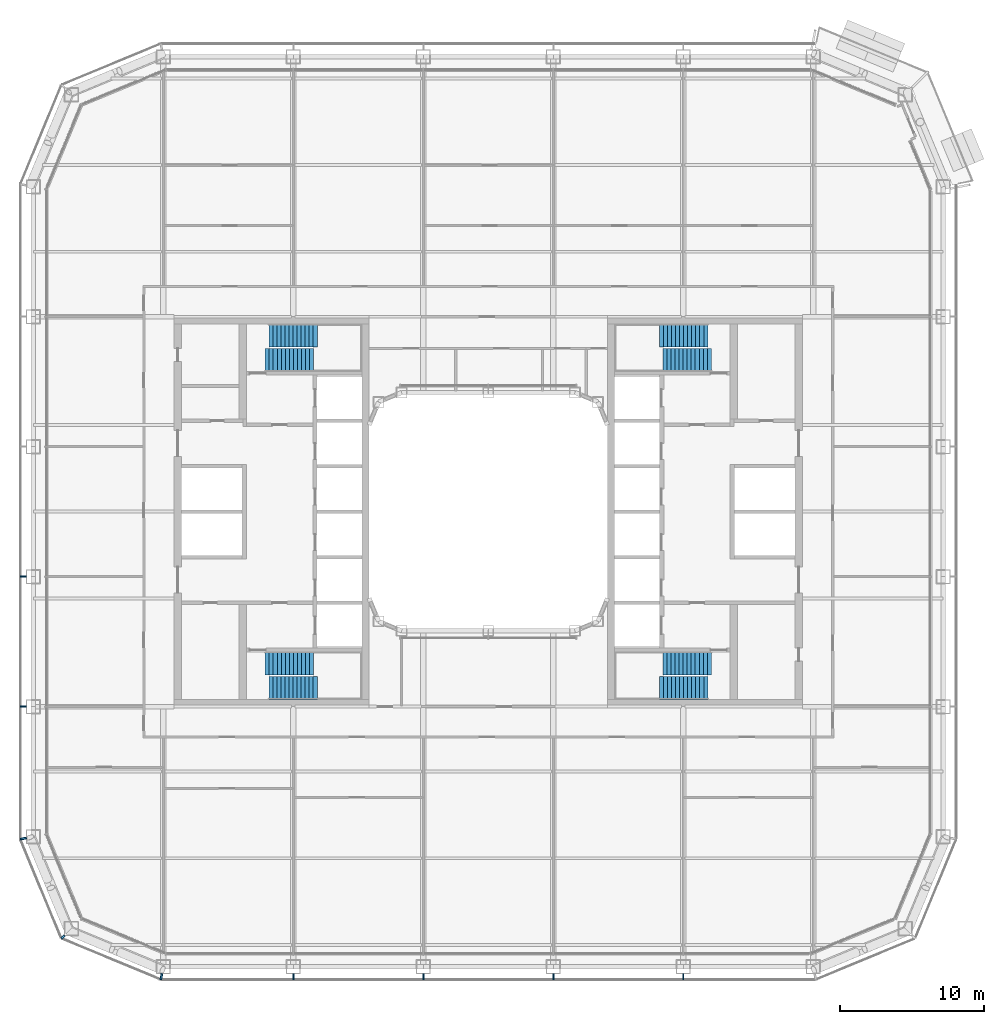
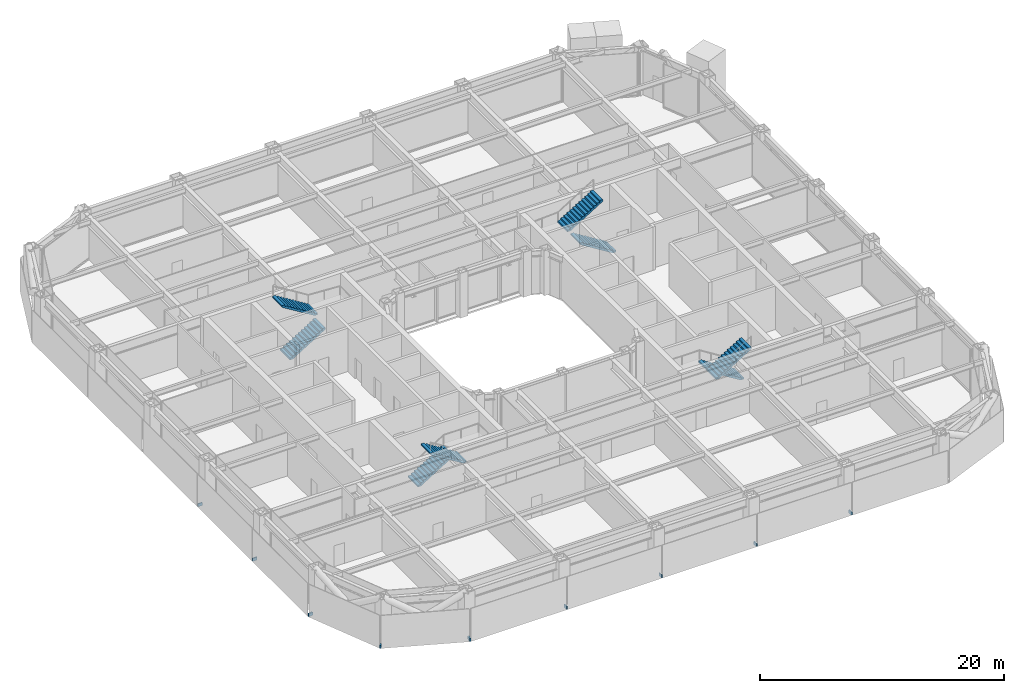
# One storey, part 17 of 30: 9 discrete accessories, 8 stair flights, 4 elements without a shape of their own.
"""IFC4 building model written with IfcOpenShell, lengths in metres."""

from ifc_helpers import new_model, si_unit, direction, frame, origin, origin_2d, place, context, subcontext, project, spatial, polyline, rectangle, outline, extrude, material, type_object, element, aggregate, save


model = new_model("IFC4")

# Units and contexts
model_context = context("Model", 3, precision=1e-05, world=origin(), true_north=direction((0.0, 1.0)))
body_context = subcontext(model_context, "Body", "Model", "MODEL_VIEW")
ifc_project = project(units=[si_unit("LENGTHUNIT", "METRE"), si_unit("AREAUNIT", "SQUARE_METRE"), si_unit("VOLUMEUNIT", "CUBIC_METRE"), si_unit("PLANEANGLEUNIT", "RADIAN"), si_unit("MASSUNIT", "GRAM", prefix="KILO")], contexts=[model_context])

# Site, building, storey
site_placement = place(None, origin())
site = spatial("IfcSite", under=ifc_project, at=site_placement, CompositionType="ELEMENT")
building_placement = place(site_placement, origin())
building = spatial("IfcBuilding", under=site, at=building_placement, Name="Siwar Civic Tower", CompositionType="ELEMENT")
storey_placement = place(building_placement, frame((0.0, 0.0, 62.699951171875)))
storey = spatial("IfcBuildingStorey", under=building, at=storey_placement, Name="L13", CompositionType="ELEMENT", Elevation=62.699951171875)

# Stair, stair flights
ifc_material_1 = material(Name="Concrete C40/50", Category="concrete")
stair_type = type_object("IfcStairType", Name="CORE-STAIR", PredefinedType="TWO_STRAIGHT_RUN_STAIR", material=ifc_material_1)
stair_1_placement = place(storey_placement, origin())
stair_1 = element("IfcStair", 1, at=stair_1_placement, inside=storey, type_object=stair_type, Name="Exit stair ST1", PredefinedType="TWO_STRAIGHT_RUN_STAIR")
ifc_material_2 = material(Name="Concrete C40/50", Category="concrete")
stair_flight_type = type_object("IfcStairFlightType", Name="CORE-STAIR-FLIGHT", PredefinedType="STRAIGHT", material=ifc_material_2)
stair_flight_1_placement = place(storey_placement, frame((-15.449951171875, 10.5, 0.0), z_axis=(0.0, 0.0, 1.0), x_axis=(1.0, 0.0, 0.0)))
stair_flight_1 = element("IfcStairFlight", 2, at=stair_flight_1_placement, type_object=stair_flight_type, Name="ST1 flight 1", NumberOfRisers=13, NumberOfTreads=12, PredefinedType="STRAIGHT", RiserHeight=0.173076923, TreadLength=0.28, context=body_context, shape_type="SweptSolid", body=[
    extrude(outline(polyline([(0.0, 0.0), (0.0, 0.173095703125), (0.280029296875, 0.173095703125), (0.280029296875, 0.34619140625), (0.56005859375, 0.34619140625), (0.56005859375, 0.519287109375), (0.840087890625, 0.519287109375), (0.840087890625, 0.6923828125), (1.1201171875, 0.6923828125), (1.1201171875, 0.865478515625), (1.39990234375, 0.865478515625), (1.39990234375, 1.03857421875), (1.679931640625, 1.03857421875), (1.679931640625, 1.21142578125), (1.9599609375, 1.21142578125), (1.9599609375, 1.384521484375), (2.239990234375, 1.384521484375), (2.239990234375, 1.5576171875), (2.52001953125, 1.5576171875), (2.52001953125, 1.730712890625), (2.800048828125, 1.730712890625), (2.800048828125, 1.90380859375), (3.080078125, 1.90380859375), (3.080078125, 2.076904296875), (3.360107421875, 2.076904296875), (3.360107421875, 2.25), (3.360107421875, 1.900634765625), (0.28515625, 0.0), (0.0, 0.0)])), frame((0.0, 0.800048828125, 0.0), z_axis=(0.0, -1.0, 0.0), x_axis=(1.0, 0.0, 0.0)), (0.0, 0.0, 1.0), 1.60009765625),
])
stair_flight_2_placement = place(storey_placement, frame((-11.840087890625, 12.199951171875, 2.25), z_axis=(0.0, 0.0, 1.0), x_axis=(-1.0, 0.0, 0.0)))
stair_flight_2 = element("IfcStairFlight", 3, at=stair_flight_2_placement, type_object=stair_flight_type, Name="ST1 flight 2", NumberOfRisers=13, NumberOfTreads=12, PredefinedType="STRAIGHT", RiserHeight=0.173076923, TreadLength=0.28, context=body_context, shape_type="SweptSolid", body=[
    extrude(outline(polyline([(0.0, 0.0), (0.0, 0.173095703125), (0.280029296875, 0.173095703125), (0.280029296875, 0.34619140625), (0.56005859375, 0.34619140625), (0.56005859375, 0.519287109375), (0.840087890625, 0.519287109375), (0.840087890625, 0.6923828125), (1.1201171875, 0.6923828125), (1.1201171875, 0.865478515625), (1.39990234375, 0.865478515625), (1.39990234375, 1.03857421875), (1.679931640625, 1.03857421875), (1.679931640625, 1.21142578125), (1.9599609375, 1.21142578125), (1.9599609375, 1.384521484375), (2.239990234375, 1.384521484375), (2.239990234375, 1.5576171875), (2.52001953125, 1.5576171875), (2.52001953125, 1.730712890625), (2.800048828125, 1.730712890625), (2.800048828125, 1.90380859375), (3.080078125, 1.90380859375), (3.080078125, 2.076904296875), (3.360107421875, 2.076904296875), (3.360107421875, 2.25), (3.360107421875, 1.900634765625), (0.28515625, 0.0), (0.0, 0.0)])), frame((0.0, 0.800048828125, 0.0), z_axis=(0.0, -1.0, 0.0), x_axis=(1.0, 0.0, 0.0)), (0.0, 0.0, 1.0), 1.60009765625),
])
aggregate(stair_1, [stair_flight_1, stair_flight_2])

stair_2_placement = place(storey_placement, origin())
stair_2 = element("IfcStair", 4, at=stair_2_placement, inside=storey, type_object=stair_type, Name="Exit stair ST2", PredefinedType="TWO_STRAIGHT_RUN_STAIR")
stair_flight_3_placement = place(storey_placement, frame((-15.449951171875, -10.5, 0.0), z_axis=(0.0, 0.0, 1.0), x_axis=(1.0, 0.0, 0.0)))
stair_flight_3 = element("IfcStairFlight", 5, at=stair_flight_3_placement, type_object=stair_flight_type, Name="ST2 flight 1", NumberOfRisers=13, NumberOfTreads=12, PredefinedType="STRAIGHT", RiserHeight=0.173076923, TreadLength=0.28, context=body_context, shape_type="SweptSolid", body=[
    extrude(outline(polyline([(0.0, 0.0), (0.0, 0.173095703125), (0.280029296875, 0.173095703125), (0.280029296875, 0.34619140625), (0.56005859375, 0.34619140625), (0.56005859375, 0.519287109375), (0.840087890625, 0.519287109375), (0.840087890625, 0.6923828125), (1.1201171875, 0.6923828125), (1.1201171875, 0.865478515625), (1.39990234375, 0.865478515625), (1.39990234375, 1.03857421875), (1.679931640625, 1.03857421875), (1.679931640625, 1.21142578125), (1.9599609375, 1.21142578125), (1.9599609375, 1.384521484375), (2.239990234375, 1.384521484375), (2.239990234375, 1.5576171875), (2.52001953125, 1.5576171875), (2.52001953125, 1.730712890625), (2.800048828125, 1.730712890625), (2.800048828125, 1.90380859375), (3.080078125, 1.90380859375), (3.080078125, 2.076904296875), (3.360107421875, 2.076904296875), (3.360107421875, 2.25), (3.360107421875, 1.900634765625), (0.28515625, 0.0), (0.0, 0.0)])), frame((0.0, 0.800048828125, 0.0), z_axis=(0.0, -1.0, 0.0), x_axis=(1.0, 0.0, 0.0)), (0.0, 0.0, 1.0), 1.60009765625),
])
stair_flight_4_placement = place(storey_placement, frame((-11.840087890625, -12.199951171875, 2.25), z_axis=(0.0, 0.0, 1.0), x_axis=(-1.0, 0.0, 0.0)))
stair_flight_4 = element("IfcStairFlight", 6, at=stair_flight_4_placement, type_object=stair_flight_type, Name="ST2 flight 2", NumberOfRisers=13, NumberOfTreads=12, PredefinedType="STRAIGHT", RiserHeight=0.173076923, TreadLength=0.28, context=body_context, shape_type="SweptSolid", body=[
    extrude(outline(polyline([(0.0, 0.0), (0.0, 0.173095703125), (0.280029296875, 0.173095703125), (0.280029296875, 0.34619140625), (0.56005859375, 0.34619140625), (0.56005859375, 0.519287109375), (0.840087890625, 0.519287109375), (0.840087890625, 0.6923828125), (1.1201171875, 0.6923828125), (1.1201171875, 0.865478515625), (1.39990234375, 0.865478515625), (1.39990234375, 1.03857421875), (1.679931640625, 1.03857421875), (1.679931640625, 1.21142578125), (1.9599609375, 1.21142578125), (1.9599609375, 1.384521484375), (2.239990234375, 1.384521484375), (2.239990234375, 1.5576171875), (2.52001953125, 1.5576171875), (2.52001953125, 1.730712890625), (2.800048828125, 1.730712890625), (2.800048828125, 1.90380859375), (3.080078125, 1.90380859375), (3.080078125, 2.076904296875), (3.360107421875, 2.076904296875), (3.360107421875, 2.25), (3.360107421875, 1.900634765625), (0.28515625, 0.0), (0.0, 0.0)])), frame((0.0, 0.800048828125, 0.0), z_axis=(0.0, -1.0, 0.0), x_axis=(1.0, 0.0, 0.0)), (0.0, 0.0, 1.0), 1.60009765625),
])
aggregate(stair_2, [stair_flight_3, stair_flight_4])

stair_3_placement = place(storey_placement, origin())
stair_3 = element("IfcStair", 7, at=stair_3_placement, inside=storey, type_object=stair_type, Name="Exit stair ST3", PredefinedType="TWO_STRAIGHT_RUN_STAIR")
stair_flight_5_placement = place(storey_placement, frame((15.449951171875, 10.5, 0.0), z_axis=(0.0, 0.0, 1.0), x_axis=(-1.0, 0.0, 0.0)))
stair_flight_5 = element("IfcStairFlight", 8, at=stair_flight_5_placement, type_object=stair_flight_type, Name="ST3 flight 1", NumberOfRisers=13, NumberOfTreads=12, PredefinedType="STRAIGHT", RiserHeight=0.173076923, TreadLength=0.28, context=body_context, shape_type="SweptSolid", body=[
    extrude(outline(polyline([(0.0, 0.0), (0.0, 0.173095703125), (0.280029296875, 0.173095703125), (0.280029296875, 0.34619140625), (0.56005859375, 0.34619140625), (0.56005859375, 0.519287109375), (0.840087890625, 0.519287109375), (0.840087890625, 0.6923828125), (1.1201171875, 0.6923828125), (1.1201171875, 0.865478515625), (1.39990234375, 0.865478515625), (1.39990234375, 1.03857421875), (1.679931640625, 1.03857421875), (1.679931640625, 1.21142578125), (1.9599609375, 1.21142578125), (1.9599609375, 1.384521484375), (2.239990234375, 1.384521484375), (2.239990234375, 1.5576171875), (2.52001953125, 1.5576171875), (2.52001953125, 1.730712890625), (2.800048828125, 1.730712890625), (2.800048828125, 1.90380859375), (3.080078125, 1.90380859375), (3.080078125, 2.076904296875), (3.360107421875, 2.076904296875), (3.360107421875, 2.25), (3.360107421875, 1.900634765625), (0.28515625, 0.0), (0.0, 0.0)])), frame((0.0, 0.800048828125, 0.0), z_axis=(0.0, -1.0, 0.0), x_axis=(1.0, 0.0, 0.0)), (0.0, 0.0, 1.0), 1.60009765625),
])
stair_flight_6_placement = place(storey_placement, frame((11.840087890625, 12.199951171875, 2.25), z_axis=(0.0, 0.0, 1.0), x_axis=(1.0, 0.0, 0.0)))
stair_flight_6 = element("IfcStairFlight", 9, at=stair_flight_6_placement, type_object=stair_flight_type, Name="ST3 flight 2", NumberOfRisers=13, NumberOfTreads=12, PredefinedType="STRAIGHT", RiserHeight=0.173076923, TreadLength=0.28, context=body_context, shape_type="SweptSolid", body=[
    extrude(outline(polyline([(0.0, 0.0), (0.0, 0.173095703125), (0.280029296875, 0.173095703125), (0.280029296875, 0.34619140625), (0.56005859375, 0.34619140625), (0.56005859375, 0.519287109375), (0.840087890625, 0.519287109375), (0.840087890625, 0.6923828125), (1.1201171875, 0.6923828125), (1.1201171875, 0.865478515625), (1.39990234375, 0.865478515625), (1.39990234375, 1.03857421875), (1.679931640625, 1.03857421875), (1.679931640625, 1.21142578125), (1.9599609375, 1.21142578125), (1.9599609375, 1.384521484375), (2.239990234375, 1.384521484375), (2.239990234375, 1.5576171875), (2.52001953125, 1.5576171875), (2.52001953125, 1.730712890625), (2.800048828125, 1.730712890625), (2.800048828125, 1.90380859375), (3.080078125, 1.90380859375), (3.080078125, 2.076904296875), (3.360107421875, 2.076904296875), (3.360107421875, 2.25), (3.360107421875, 1.900634765625), (0.28515625, 0.0), (0.0, 0.0)])), frame((0.0, 0.800048828125, 0.0), z_axis=(0.0, -1.0, 0.0), x_axis=(1.0, 0.0, 0.0)), (0.0, 0.0, 1.0), 1.60009765625),
])
aggregate(stair_3, [stair_flight_5, stair_flight_6])

stair_4_placement = place(storey_placement, origin())
stair_4 = element("IfcStair", 10, at=stair_4_placement, inside=storey, type_object=stair_type, Name="Exit stair ST4", PredefinedType="TWO_STRAIGHT_RUN_STAIR")
stair_flight_7_placement = place(storey_placement, frame((15.449951171875, -10.5, 0.0), z_axis=(0.0, 0.0, 1.0), x_axis=(-1.0, 0.0, 0.0)))
stair_flight_7 = element("IfcStairFlight", 11, at=stair_flight_7_placement, type_object=stair_flight_type, Name="ST4 flight 1", NumberOfRisers=13, NumberOfTreads=12, PredefinedType="STRAIGHT", RiserHeight=0.173076923, TreadLength=0.28, context=body_context, shape_type="SweptSolid", body=[
    extrude(outline(polyline([(0.0, 0.0), (0.0, 0.173095703125), (0.280029296875, 0.173095703125), (0.280029296875, 0.34619140625), (0.56005859375, 0.34619140625), (0.56005859375, 0.519287109375), (0.840087890625, 0.519287109375), (0.840087890625, 0.6923828125), (1.1201171875, 0.6923828125), (1.1201171875, 0.865478515625), (1.39990234375, 0.865478515625), (1.39990234375, 1.03857421875), (1.679931640625, 1.03857421875), (1.679931640625, 1.21142578125), (1.9599609375, 1.21142578125), (1.9599609375, 1.384521484375), (2.239990234375, 1.384521484375), (2.239990234375, 1.5576171875), (2.52001953125, 1.5576171875), (2.52001953125, 1.730712890625), (2.800048828125, 1.730712890625), (2.800048828125, 1.90380859375), (3.080078125, 1.90380859375), (3.080078125, 2.076904296875), (3.360107421875, 2.076904296875), (3.360107421875, 2.25), (3.360107421875, 1.900634765625), (0.28515625, 0.0), (0.0, 0.0)])), frame((0.0, 0.800048828125, 0.0), z_axis=(0.0, -1.0, 0.0), x_axis=(1.0, 0.0, 0.0)), (0.0, 0.0, 1.0), 1.60009765625),
])
stair_flight_8_placement = place(storey_placement, frame((11.840087890625, -12.199951171875, 2.25), z_axis=(0.0, 0.0, 1.0), x_axis=(1.0, 0.0, 0.0)))
stair_flight_8 = element("IfcStairFlight", 12, at=stair_flight_8_placement, type_object=stair_flight_type, Name="ST4 flight 2", NumberOfRisers=13, NumberOfTreads=12, PredefinedType="STRAIGHT", RiserHeight=0.173076923, TreadLength=0.28, context=body_context, shape_type="SweptSolid", body=[
    extrude(outline(polyline([(0.0, 0.0), (0.0, 0.173095703125), (0.280029296875, 0.173095703125), (0.280029296875, 0.34619140625), (0.56005859375, 0.34619140625), (0.56005859375, 0.519287109375), (0.840087890625, 0.519287109375), (0.840087890625, 0.6923828125), (1.1201171875, 0.6923828125), (1.1201171875, 0.865478515625), (1.39990234375, 0.865478515625), (1.39990234375, 1.03857421875), (1.679931640625, 1.03857421875), (1.679931640625, 1.21142578125), (1.9599609375, 1.21142578125), (1.9599609375, 1.384521484375), (2.239990234375, 1.384521484375), (2.239990234375, 1.5576171875), (2.52001953125, 1.5576171875), (2.52001953125, 1.730712890625), (2.800048828125, 1.730712890625), (2.800048828125, 1.90380859375), (3.080078125, 1.90380859375), (3.080078125, 2.076904296875), (3.360107421875, 2.076904296875), (3.360107421875, 2.25), (3.360107421875, 1.900634765625), (0.28515625, 0.0), (0.0, 0.0)])), frame((0.0, 0.800048828125, 0.0), z_axis=(0.0, -1.0, 0.0), x_axis=(1.0, 0.0, 0.0)), (0.0, 0.0, 1.0), 1.60009765625),
])
aggregate(stair_4, [stair_flight_7, stair_flight_8])

# Discrete accessories
ifc_material_3 = material(Name="Stainless steel 316", Category="steel")
discrete_accessory_type = type_object("IfcDiscreteAccessoryType", Name="ENV-BRACKET", PredefinedType="BRACKET", material=ifc_material_3)
for number, where, z_axis, x_axis, name in (
    (13, (-13.5, -32.18994140625, -0.14990234375), (0.0, 0.0, 1.0), (0.0, -1.0, 0.0), "Bracket outer skin joint S-01"),
    (14, (-4.5, -32.18994140625, -0.14990234375), (0.0, 0.0, 1.0), (0.0, -1.0, 0.0), "Bracket outer skin joint S-02"),
    (15, (4.5, -32.18994140625, -0.14990234375), (0.0, 0.0, 1.0), (0.0, -1.0, 0.0), "Bracket outer skin joint S-03"),
    (16, (13.5, -32.18994140625, -0.14990234375), (0.0, 0.0, 1.0), (0.0, -1.0, 0.0), "Bracket outer skin joint S-04"),
):
    element("IfcDiscreteAccessory", number, at=place(storey_placement, frame(where, z_axis=z_axis, x_axis=x_axis)), inside=storey, type_object=discrete_accessory_type, Name=name, PredefinedType="BRACKET", context=body_context, shape_type="SweptSolid", body=[
        extrude(rectangle(XDim=0.419921875, YDim=0.10009765625, at=origin_2d()), origin(), (0.0, 0.0, 1.0), 0.300048828125),
    ])
for number, where, z_axis, x_axis, name in (
    (17, (-22.63720703125, -32.190185546875, -0.14990234375), (0.0, 0.0, 1.0), (-0.195090322016, -0.980785280403, 0.0), "Bracket outer skin joint V00"),
    (18, (-32.190185546875, -22.63720703125, -0.14990234375), (0.0, 0.0, 1.0), (-0.980785280403, -0.195090322016, 0.0), "Bracket outer skin joint V10"),
):
    element("IfcDiscreteAccessory", number, at=place(storey_placement, frame(where, z_axis=z_axis, x_axis=x_axis)), inside=storey, type_object=discrete_accessory_type, Name=name, PredefinedType="BRACKET", context=body_context, shape_type="SweptSolid", body=[
        extrude(rectangle(XDim=0.427734375, YDim=0.13720703125, at=origin_2d()), origin(), (0.0, 0.0, 1.0), 0.300048828125),
    ])
discrete_accessory_placement = place(storey_placement, frame((-29.451416015625, -29.451416015625, -0.14990234375), z_axis=(0.0, 0.0, 1.0), x_axis=(-0.707106781187, -0.707106781187, 0.0)))
element("IfcDiscreteAccessory", 19, at=discrete_accessory_placement, inside=storey, type_object=discrete_accessory_type, Name="Bracket outer skin joint V11", PredefinedType="BRACKET", context=body_context, shape_type="SweptSolid", body=[
    extrude(rectangle(XDim=0.287109375, YDim=0.12939453125, at=origin_2d()), origin(), (0.0, 0.0, 1.0), 0.300048828125),
])
for number, where, z_axis, x_axis, name in (
    (20, (-32.18994140625, -4.5, -0.14990234375), (0.0, 0.0, 1.0), (-1.0, 0.0, 0.0), "Bracket outer skin joint W-03"),
    (21, (-32.18994140625, -13.5, -0.14990234375), (0.0, 0.0, 1.0), (-1.0, 0.0, 0.0), "Bracket outer skin joint W-04"),
):
    element("IfcDiscreteAccessory", number, at=place(storey_placement, frame(where, z_axis=z_axis, x_axis=x_axis)), inside=storey, type_object=discrete_accessory_type, Name=name, PredefinedType="BRACKET", context=body_context, shape_type="SweptSolid", body=[
        extrude(rectangle(XDim=0.419921875, YDim=0.10009765625, at=origin_2d()), origin(), (0.0, 0.0, 1.0), 0.300048828125),
    ])

save(model, "model.ifc")
